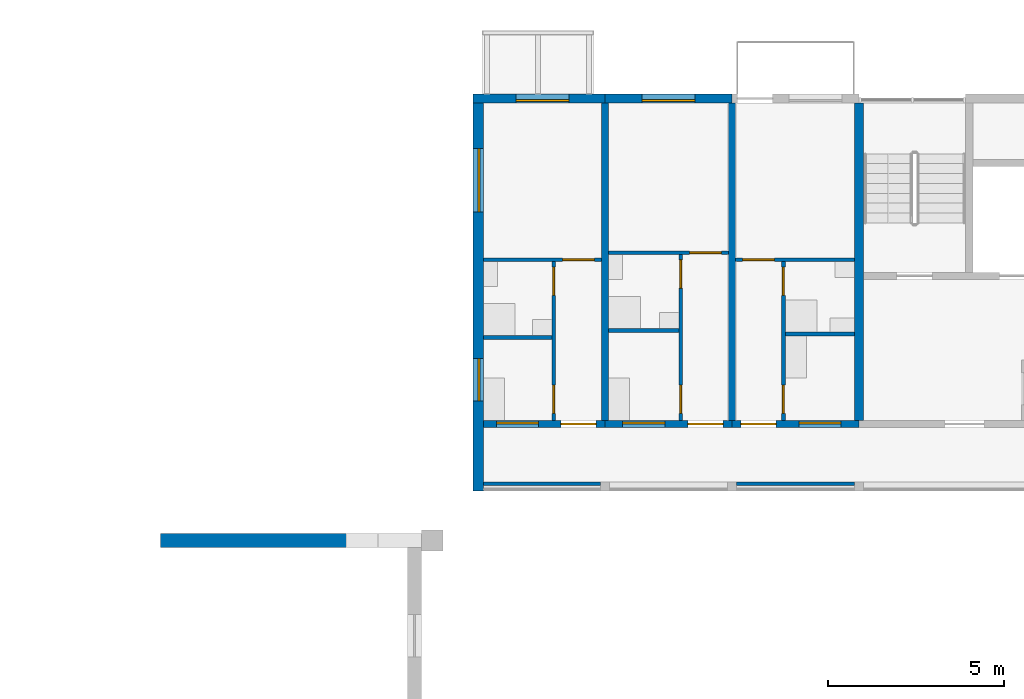
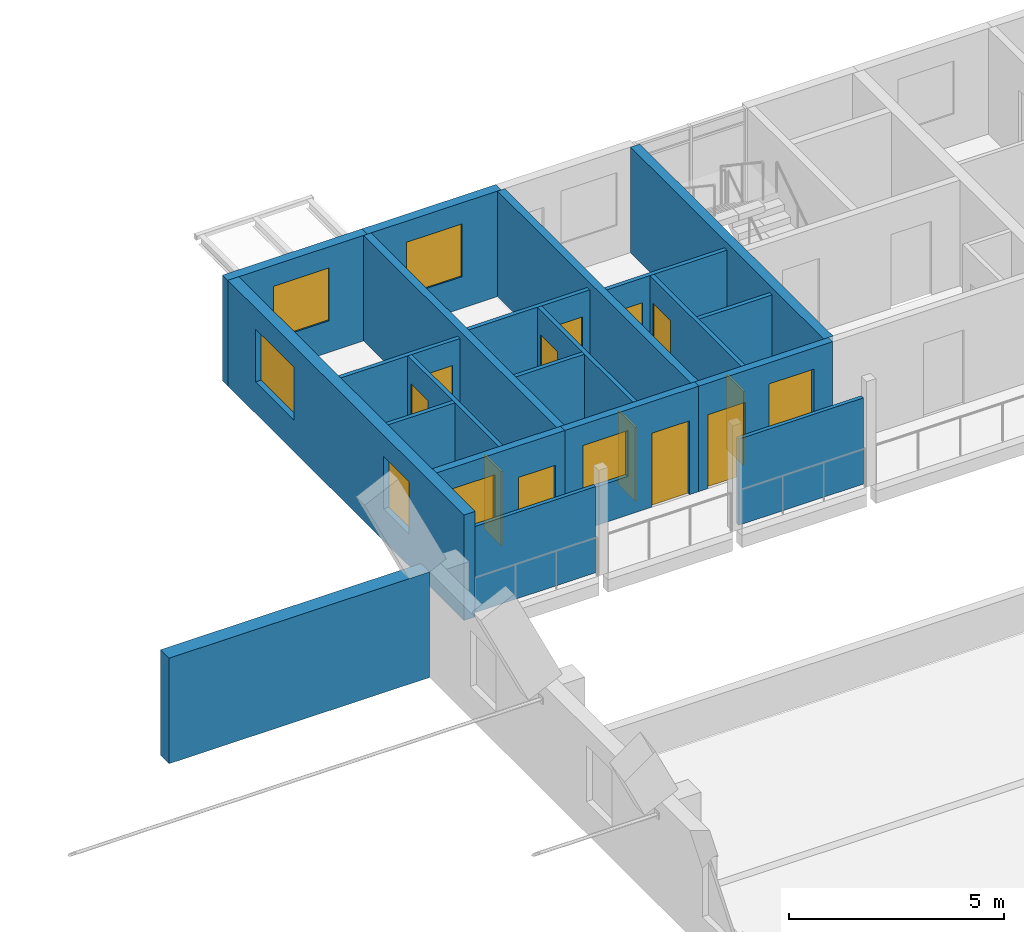
# One storey, part 66 of 115: 21 walls, 12 doors, 7 windows, 19 openings.
"""IFC4 building model written with IfcOpenShell, lengths in metres."""

from ifc_helpers import new_model, si_unit, direction, frame, frame_2d, origin, place, context, subcontext, project, spatial, rectangle, extrude, material, layer, layer_set, type_object, element, fill, save


model = new_model("IFC4")

# Units and contexts
model_context = context("Model", 3, precision=1e-05, world=origin(), true_north=direction((0.0, 1.0)))
body_context = subcontext(model_context, "Body", "Model", "MODEL_VIEW")
ifc_project = project(units=[si_unit("LENGTHUNIT", "METRE"), si_unit("AREAUNIT", "SQUARE_METRE"), si_unit("VOLUMEUNIT", "CUBIC_METRE"), si_unit("PLANEANGLEUNIT", "RADIAN"), si_unit("MASSUNIT", "GRAM", prefix="KILO")], contexts=[model_context])

# Site, building, storey
site_placement = place(None, origin())
site = spatial("IfcSite", under=ifc_project, at=site_placement, CompositionType="ELEMENT")
building_placement = place(site_placement, origin())
building = spatial("IfcBuilding", under=site, at=building_placement, Name="Ridgestep Commons", CompositionType="ELEMENT")
storey_placement = place(building_placement, frame((0.0, 0.0, 6.0)))
storey = spatial("IfcBuildingStorey", under=building, at=storey_placement, Name="L02", CompositionType="ELEMENT", Elevation=6.0)

# Walls
ifc_material_1 = material(Name="Concrete C30/37", Category="concrete")
ifc_layer_1 = layer(ifc_material_1, 0.25)
ifc_layer_set_1 = layer_set([ifc_layer_1], Name="Core cross wall 250")
wall_type_1 = type_object("IfcWallType", Name="Core cross wall 250", PredefinedType="SHEAR", material=ifc_layer_set_1)
wall_1_placement = place(storey_placement, frame((157.60009765625, 68.0, 0.0), z_axis=(0.0, 0.0, 1.0), x_axis=(0.0, 1.0, 0.0)))
element("IfcWall", 1, at=wall_1_placement, inside=storey, type_object=wall_type_1, Name="Cross wall C-02-1576", PredefinedType="SHEAR", context=body_context, shape_type="SweptSolid", body=[
    extrude(rectangle(XDim=9.0, YDim=0.25, at=frame_2d((4.5, 0.0))), origin(), (0.0, 0.0, 1.0), 3.0),
])
ifc_material_2 = material(Name="Precast concrete C40/50", Category="concrete")
ifc_layer_2 = layer(ifc_material_2, 0.199951171875)
ifc_layer_set_2 = layer_set([ifc_layer_2], Name="Cross wall 200")
wall_type_2 = type_object("IfcWallType", Name="Cross wall 200", PredefinedType="SHEAR", material=ifc_layer_set_2)
for number, where, z_axis, x_axis, name in (
    (2, (150.39990234375, 68.0, 0.0), (0.0, 0.0, 1.0), (0.0, 1.0, 0.0), "Cross wall C-02-1504"),
    (3, (154.0, 68.0, 0.0), (0.0, 0.0, 1.0), (0.0, 1.0, 0.0), "Cross wall C-02-1540"),
):
    element("IfcWall", number, at=place(storey_placement, frame(where, z_axis=z_axis, x_axis=x_axis)), inside=storey, type_object=wall_type_2, Name=name, PredefinedType="SHEAR", context=body_context, shape_type="SweptSolid", body=[
        extrude(rectangle(XDim=9.0, YDim=0.199951171875, at=frame_2d((4.5, 0.0))), origin(), (0.0, 0.0, 1.0), 3.0),
    ])

# Wall, openings, windows
ifc_material_3 = material(Name="Precast concrete C40/50", Category="concrete")
ifc_layer_3 = layer(ifc_material_3, 0.300048828125)
ifc_layer_set_3 = layer_set([ifc_layer_3], Name="Exposed division wall 300")
wall_type_3 = type_object("IfcWallType", Name="Exposed division wall 300", PredefinedType="SHEAR", material=ifc_layer_set_3)
wall_2_placement = place(storey_placement, frame((146.800048828125, 66.0, 0.0), z_axis=(0.0, 0.0, 1.0), x_axis=(0.0, 1.0, 0.0)))
wall_2 = element("IfcWall", 4, at=wall_2_placement, inside=storey, type_object=wall_type_3, Name="Cross wall C-02-1468", PredefinedType="SHEAR", context=body_context, shape_type="SweptSolid", body=[
    extrude(rectangle(XDim=11.0, YDim=0.300048828125, at=frame_2d((5.5, 0.0))), origin(), (0.0, 0.0, 1.0), 3.0),
])
opening_1_placement = place(wall_2_placement, frame((2.550048828125, 0.0, 0.89990234375)))
opening_1 = element("IfcOpeningElement", 5, at=opening_1_placement, cuts=wall_2, Name="Opening W10", PredefinedType="OPENING", context=body_context, shape_type="SweptSolid", body=[
    extrude(rectangle(XDim=1.199951171875, YDim=1.5, at=frame_2d((0.60009765625, 0.75))), frame((0.0, 0.159912109375, 0.0), z_axis=(0.0, -1.0, 0.0), x_axis=(1.0, 0.0, 0.0)), (0.0, 0.0, 1.0), 0.320068359375),
])
opening_2_placement = place(wall_2_placement, frame((7.905029296875, 0.0, 0.89990234375)))
opening_2 = element("IfcOpeningElement", 6, at=opening_2_placement, cuts=wall_2, Name="Opening W20", PredefinedType="OPENING", context=body_context, shape_type="SweptSolid", body=[
    extrude(rectangle(XDim=1.800048828125, YDim=1.5, at=frame_2d((0.89990234375, 0.75))), frame((0.0, 0.159912109375, 0.0), z_axis=(0.0, -1.0, 0.0), x_axis=(1.0, 0.0, 0.0)), (0.0, 0.0, 1.0), 0.320068359375),
])
ifc_material_4 = material(Name="Aluminium 6063-T6 and glass", Category="aluminium")
window_type_1 = type_object("IfcWindowType", Name="Flat window 1200 x 1500", PartitioningType="SINGLE_PANEL", PredefinedType="WINDOW", material=ifc_material_4)
window_1_placement = place(opening_1_placement, origin())
window_1 = element("IfcWindow", 7, at=window_1_placement, inside=storey, type_object=window_type_1, Name="Window C1-02a 3", OverallHeight=1.5, OverallWidth=1.199951171875, PartitioningType="SINGLE_PANEL", PredefinedType="WINDOW", context=body_context, shape_type="SweptSolid", body=[
    extrude(rectangle(XDim=1.199951171875, YDim=1.5, at=frame_2d((0.60009765625, 0.75))), frame((0.0, 0.0, 0.0), z_axis=(0.0, -1.0, 0.0), x_axis=(1.0, 0.0, 0.0)), (0.0, 0.0, 1.0), 0.06005859375),
])
fill(opening_1, window_1)
ifc_material_5 = material(Name="Aluminium 6063-T6 and glass", Category="aluminium")
window_type_2 = type_object("IfcWindowType", Name="Flat window 1800 x 1500", PartitioningType="DOUBLE_PANEL_VERTICAL", PredefinedType="WINDOW", material=ifc_material_5)
window_2_placement = place(opening_2_placement, origin())
window_2 = element("IfcWindow", 8, at=window_2_placement, inside=storey, type_object=window_type_2, Name="Window C1-02a 4", OverallHeight=1.5, OverallWidth=1.800048828125, PartitioningType="SINGLE_PANEL", PredefinedType="WINDOW", context=body_context, shape_type="SweptSolid", body=[
    extrude(rectangle(XDim=1.800048828125, YDim=1.5, at=frame_2d((0.89990234375, 0.75))), frame((0.0, 0.0, 0.0), z_axis=(0.0, -1.0, 0.0), x_axis=(1.0, 0.0, 0.0)), (0.0, 0.0, 1.0), 0.06005859375),
])
fill(opening_2, window_2)

# Wall
ifc_material_6 = material(Name="Precast concrete C40/50", Category="concrete")
ifc_layer_4 = layer(ifc_material_6, 0.39990234375)
ifc_layer_set_4 = layer_set([ifc_layer_4], Name="Hall wall 400")
wall_type_4 = type_object("IfcWallType", Name="Hall wall 400", PredefinedType="SOLIDWALL", material=ifc_layer_set_4)
wall_3_placement = place(storey_placement, frame((137.800048828125, 64.60009765625, 0.0), z_axis=(0.0, 0.0, 1.0), x_axis=(1.0, 0.0, 0.0)))
element("IfcWall", 9, at=wall_3_placement, inside=storey, type_object=wall_type_4, Name="Hall wall 400", PredefinedType="SOLIDWALL", context=body_context, shape_type="SweptSolid", body=[
    extrude(rectangle(XDim=7.0, YDim=0.39990234375, at=frame_2d((3.5, 0.0))), origin(), (0.0, 0.0, 1.0), 3.0),
])

# Wall, opening, window
ifc_material_7 = material(Name="Precast concrete C40/50", Category="concrete")
ifc_layer_5 = layer(ifc_material_7, 0.25)
ifc_layer_set_5 = layer_set([ifc_layer_5], Name="North facade panel 250")
wall_type_5 = type_object("IfcWallType", Name="North facade panel 250", PredefinedType="SOLIDWALL", material=ifc_layer_set_5)
wall_4_placement = place(storey_placement, frame((146.64990234375, 77.125, 0.0), z_axis=(0.0, 0.0, 1.0), x_axis=(1.0, 0.0, 0.0)))
wall_4 = element("IfcWall", 10, at=wall_4_placement, inside=storey, type_object=wall_type_5, Name="North panel C1T1 L02", PredefinedType="SOLIDWALL", context=body_context, shape_type="SweptSolid", body=[
    extrude(rectangle(XDim=3.75, YDim=0.25, at=frame_2d((1.875, 0.0))), origin(), (0.0, 0.0, 1.0), 3.0),
])
opening_3_placement = place(wall_4_placement, frame((1.22509765625, 0.0, 0.89990234375)))
opening_3 = element("IfcOpeningElement", 11, at=opening_3_placement, cuts=wall_4, Name="Opening W16", PredefinedType="OPENING", context=body_context, shape_type="SweptSolid", body=[
    extrude(rectangle(XDim=1.5, YDim=1.5, at=frame_2d((0.75, 0.75))), frame((0.0, 0.135009765625, 0.0), z_axis=(0.0, -1.0, 0.0), x_axis=(1.0, 0.0, 0.0)), (0.0, 0.0, 1.0), 0.27001953125),
])
ifc_material_8 = material(Name="Aluminium 6063-T6 and glass", Category="aluminium")
window_type_3 = type_object("IfcWindowType", Name="Flat window 1500 x 1500", PartitioningType="DOUBLE_PANEL_VERTICAL", PredefinedType="WINDOW", material=ifc_material_8)
window_3_placement = place(opening_3_placement, origin())
window_3 = element("IfcWindow", 12, at=window_3_placement, inside=storey, type_object=window_type_3, Name="Window C1-02a 2", OverallHeight=1.5, OverallWidth=1.5, PartitioningType="SINGLE_PANEL", PredefinedType="WINDOW", context=body_context, shape_type="SweptSolid", body=[
    extrude(rectangle(XDim=1.5, YDim=1.5, at=frame_2d((0.75, 0.75))), frame((0.0, -0.02490234375, 0.0), z_axis=(0.0, -1.0, 0.0), x_axis=(1.0, 0.0, 0.0)), (0.0, 0.0, 1.0), 0.06005859375),
])
fill(opening_3, window_3)

wall_5_placement = place(storey_placement, frame((150.39990234375, 77.125, 0.0), z_axis=(0.0, 0.0, 1.0), x_axis=(1.0, 0.0, 0.0)))
wall_5 = element("IfcWall", 13, at=wall_5_placement, inside=storey, type_object=wall_type_5, Name="North panel C1T2 L02", PredefinedType="SOLIDWALL", context=body_context, shape_type="SweptSolid", body=[
    extrude(rectangle(XDim=3.60009765625, YDim=0.25, at=frame_2d((1.800048828125, 0.0))), origin(), (0.0, 0.0, 1.0), 3.0),
])
opening_4_placement = place(wall_5_placement, frame((1.050048828125, 0.0, 0.89990234375)))
opening_4 = element("IfcOpeningElement", 14, at=opening_4_placement, cuts=wall_5, Name="Opening W16", PredefinedType="OPENING", context=body_context, shape_type="SweptSolid", body=[
    extrude(rectangle(XDim=1.5, YDim=1.5, at=frame_2d((0.75, 0.75))), frame((0.0, 0.135009765625, 0.0), z_axis=(0.0, -1.0, 0.0), x_axis=(1.0, 0.0, 0.0)), (0.0, 0.0, 1.0), 0.27001953125),
])
window_4_placement = place(opening_4_placement, origin())
window_4 = element("IfcWindow", 15, at=window_4_placement, inside=storey, type_object=window_type_3, Name="Window C1-02b 2", OverallHeight=1.5, OverallWidth=1.5, PartitioningType="SINGLE_PANEL", PredefinedType="WINDOW", context=body_context, shape_type="SweptSolid", body=[
    extrude(rectangle(XDim=1.5, YDim=1.5, at=frame_2d((0.75, 0.75))), frame((0.0, -0.02490234375, 0.0), z_axis=(0.0, -1.0, 0.0), x_axis=(1.0, 0.0, 0.0)), (0.0, 0.0, 1.0), 0.06005859375),
])
fill(opening_4, window_4)

# Wall
ifc_material_9 = material(Name="Common brick 110 mm", Category="masonry")
ifc_layer_6 = layer(ifc_material_9, 0.110107421875)
ifc_layer_set_6 = layer_set([ifc_layer_6], Name="Partition 110")
wall_type_6 = type_object("IfcWallType", Name="Partition 110", PredefinedType="PARTITIONING", material=ifc_layer_set_6)
wall_6_placement = place(storey_placement, frame((146.949951171875, 70.35498046875, 0.0), z_axis=(0.0, 0.0, 1.0), x_axis=(1.0, 0.0, 0.0)))
element("IfcWall", 16, at=wall_6_placement, inside=storey, type_object=wall_type_6, Name="Partition C1-02a", PredefinedType="PARTITIONING", context=body_context, shape_type="SweptSolid", body=[
    extrude(rectangle(XDim=1.93994140625, YDim=0.110107421875, at=frame_2d((0.969970703125, 0.0))), origin(), (0.0, 0.0, 1.0), 2.800048828125),
])

# Wall, openings, doors
wall_7_placement = place(storey_placement, frame((148.945068359375, 68.0, 0.0), z_axis=(0.0, 0.0, 1.0), x_axis=(0.0, 1.0, 0.0)))
wall_7 = element("IfcWall", 17, at=wall_7_placement, inside=storey, type_object=wall_type_6, Name="Partition C1-02a", PredefinedType="PARTITIONING", context=body_context, shape_type="SweptSolid", body=[
    extrude(rectangle(XDim=4.5, YDim=0.110107421875, at=frame_2d((2.25, 0.0))), origin(), (0.0, 0.0, 1.0), 2.800048828125),
])
opening_5_placement = place(wall_7_placement, frame((0.199951171875, 0.0, 0.0)))
opening_5 = element("IfcOpeningElement", 18, at=opening_5_placement, cuts=wall_7, Name="Opening C1-02a/2", PredefinedType="OPENING", context=body_context, shape_type="SweptSolid", body=[
    extrude(rectangle(XDim=0.800048828125, YDim=2.10009765625, at=frame_2d((0.39990234375, 1.050048828125))), frame((0.0, 0.06494140625, 0.0), z_axis=(0.0, -1.0, 0.0), x_axis=(1.0, 0.0, 0.0)), (0.0, 0.0, 1.0), 0.130126953125),
])
opening_6_placement = place(wall_7_placement, frame((3.550048828125, 0.0, 0.0)))
opening_6 = element("IfcOpeningElement", 19, at=opening_6_placement, cuts=wall_7, Name="Opening C1-02a/3", PredefinedType="OPENING", context=body_context, shape_type="SweptSolid", body=[
    extrude(rectangle(XDim=0.800048828125, YDim=2.10009765625, at=frame_2d((0.39990234375, 1.050048828125))), frame((0.0, 0.06494140625, 0.0), z_axis=(0.0, -1.0, 0.0), x_axis=(1.0, 0.0, 0.0)), (0.0, 0.0, 1.0), 0.130126953125),
])
ifc_material_10 = material(Name="Timber door leaf", Category="wood")
door_type_1 = type_object("IfcDoorType", Name="Internal door 800 x 2100", OperationType="NOTDEFINED", PredefinedType="DOOR", material=ifc_material_10)
door_1_placement = place(opening_5_placement, origin())
door_1 = element("IfcDoor", 20, at=door_1_placement, inside=storey, type_object=door_type_1, Name="Internal door C1-02a/2", OperationType="SINGLE_SWING_LEFT", OverallHeight=2.10009765625, OverallWidth=0.800048828125, PredefinedType="DOOR", context=body_context, shape_type="SweptSolid", body=[
    extrude(rectangle(XDim=0.800048828125, YDim=2.10009765625, at=frame_2d((0.39990234375, 1.050048828125))), frame((0.0, 0.02490234375, 0.0), z_axis=(0.0, -1.0, 0.0), x_axis=(1.0, 0.0, 0.0)), (0.0, 0.0, 1.0), 0.050048828125),
])
fill(opening_5, door_1)
door_2_placement = place(opening_6_placement, origin())
door_2 = element("IfcDoor", 21, at=door_2_placement, inside=storey, type_object=door_type_1, Name="Internal door C1-02a/3", OperationType="SINGLE_SWING_RIGHT", OverallHeight=2.10009765625, OverallWidth=0.800048828125, PredefinedType="DOOR", context=body_context, shape_type="SweptSolid", body=[
    extrude(rectangle(XDim=0.800048828125, YDim=2.10009765625, at=frame_2d((0.39990234375, 1.050048828125))), frame((0.0, 0.02490234375, 0.0), z_axis=(0.0, -1.0, 0.0), x_axis=(1.0, 0.0, 0.0)), (0.0, 0.0, 1.0), 0.050048828125),
])
fill(opening_6, door_2)

# Wall, opening, door
wall_8_placement = place(storey_placement, frame((146.949951171875, 72.554931640625, 0.0), z_axis=(0.0, 0.0, 1.0), x_axis=(1.0, 0.0, 0.0)))
wall_8 = element("IfcWall", 22, at=wall_8_placement, inside=storey, type_object=wall_type_6, Name="Partition C1-02a", PredefinedType="PARTITIONING", context=body_context, shape_type="SweptSolid", body=[
    extrude(rectangle(XDim=3.35009765625, YDim=0.110107421875, at=frame_2d((1.675048828125, 0.0))), origin(), (0.0, 0.0, 1.0), 2.800048828125),
])
opening_7_placement = place(wall_8_placement, frame((2.25, 0.0, 0.0)))
opening_7 = element("IfcOpeningElement", 23, at=opening_7_placement, cuts=wall_8, Name="Opening C1-02a/4", PredefinedType="OPENING", context=body_context, shape_type="SweptSolid", body=[
    extrude(rectangle(XDim=0.89990234375, YDim=2.10009765625, at=frame_2d((0.449951171875, 1.050048828125))), frame((0.0, 0.06494140625, 0.0), z_axis=(0.0, -1.0, 0.0), x_axis=(1.0, 0.0, 0.0)), (0.0, 0.0, 1.0), 0.130126953125),
])
ifc_material_11 = material(Name="Timber door leaf", Category="wood")
door_type_2 = type_object("IfcDoorType", Name="Internal door 900 x 2100", OperationType="NOTDEFINED", PredefinedType="DOOR", material=ifc_material_11)
door_3_placement = place(opening_7_placement, origin())
door_3 = element("IfcDoor", 24, at=door_3_placement, inside=storey, type_object=door_type_2, Name="Internal door C1-02a/4", OperationType="SINGLE_SWING_LEFT", OverallHeight=2.10009765625, OverallWidth=0.89990234375, PredefinedType="DOOR", context=body_context, shape_type="SweptSolid", body=[
    extrude(rectangle(XDim=0.89990234375, YDim=2.10009765625, at=frame_2d((0.449951171875, 1.050048828125))), frame((0.0, 0.02490234375, 0.0), z_axis=(0.0, -1.0, 0.0), x_axis=(1.0, 0.0, 0.0)), (0.0, 0.0, 1.0), 0.050048828125),
])
fill(opening_7, door_3)

# Wall
wall_9_placement = place(storey_placement, frame((150.5, 70.554931640625, 0.0), z_axis=(0.0, 0.0, 1.0), x_axis=(1.0, 0.0, 0.0)))
element("IfcWall", 25, at=wall_9_placement, inside=storey, type_object=wall_type_6, Name="Partition C1-02b", PredefinedType="PARTITIONING", context=body_context, shape_type="SweptSolid", body=[
    extrude(rectangle(XDim=1.989990234375, YDim=0.110107421875, at=frame_2d((0.9951171875, 0.0))), origin(), (0.0, 0.0, 1.0), 2.800048828125),
])

# Wall, openings, doors
wall_10_placement = place(storey_placement, frame((152.544921875, 68.0, 0.0), z_axis=(0.0, 0.0, 1.0), x_axis=(0.0, 1.0, 0.0)))
wall_10 = element("IfcWall", 26, at=wall_10_placement, inside=storey, type_object=wall_type_6, Name="Partition C1-02b", PredefinedType="PARTITIONING", context=body_context, shape_type="SweptSolid", body=[
    extrude(rectangle(XDim=4.699951171875, YDim=0.110107421875, at=frame_2d((2.35009765625, 0.0))), origin(), (0.0, 0.0, 1.0), 2.800048828125),
])
opening_8_placement = place(wall_10_placement, frame((0.199951171875, 0.0, 0.0)))
opening_8 = element("IfcOpeningElement", 27, at=opening_8_placement, cuts=wall_10, Name="Opening C1-02b/2", PredefinedType="OPENING", context=body_context, shape_type="SweptSolid", body=[
    extrude(rectangle(XDim=0.800048828125, YDim=2.10009765625, at=frame_2d((0.39990234375, 1.050048828125))), frame((0.0, 0.06494140625, 0.0), z_axis=(0.0, -1.0, 0.0), x_axis=(1.0, 0.0, 0.0)), (0.0, 0.0, 1.0), 0.130126953125),
])
opening_9_placement = place(wall_10_placement, frame((3.75, 0.0, 0.0)))
opening_9 = element("IfcOpeningElement", 28, at=opening_9_placement, cuts=wall_10, Name="Opening C1-02b/3", PredefinedType="OPENING", context=body_context, shape_type="SweptSolid", body=[
    extrude(rectangle(XDim=0.800048828125, YDim=2.10009765625, at=frame_2d((0.39990234375, 1.050048828125))), frame((0.0, 0.06494140625, 0.0), z_axis=(0.0, -1.0, 0.0), x_axis=(1.0, 0.0, 0.0)), (0.0, 0.0, 1.0), 0.130126953125),
])
door_4_placement = place(opening_8_placement, origin())
door_4 = element("IfcDoor", 29, at=door_4_placement, inside=storey, type_object=door_type_1, Name="Internal door C1-02b/2", OperationType="SINGLE_SWING_LEFT", OverallHeight=2.10009765625, OverallWidth=0.800048828125, PredefinedType="DOOR", context=body_context, shape_type="SweptSolid", body=[
    extrude(rectangle(XDim=0.800048828125, YDim=2.10009765625, at=frame_2d((0.39990234375, 1.050048828125))), frame((0.0, 0.02490234375, 0.0), z_axis=(0.0, -1.0, 0.0), x_axis=(1.0, 0.0, 0.0)), (0.0, 0.0, 1.0), 0.050048828125),
])
fill(opening_8, door_4)
door_5_placement = place(opening_9_placement, origin())
door_5 = element("IfcDoor", 30, at=door_5_placement, inside=storey, type_object=door_type_1, Name="Internal door C1-02b/3", OperationType="SINGLE_SWING_RIGHT", OverallHeight=2.10009765625, OverallWidth=0.800048828125, PredefinedType="DOOR", context=body_context, shape_type="SweptSolid", body=[
    extrude(rectangle(XDim=0.800048828125, YDim=2.10009765625, at=frame_2d((0.39990234375, 1.050048828125))), frame((0.0, 0.02490234375, 0.0), z_axis=(0.0, -1.0, 0.0), x_axis=(1.0, 0.0, 0.0)), (0.0, 0.0, 1.0), 0.050048828125),
])
fill(opening_9, door_5)

# Wall, opening, door
wall_11_placement = place(storey_placement, frame((150.5, 72.7548828125, 0.0), z_axis=(0.0, 0.0, 1.0), x_axis=(1.0, 0.0, 0.0)))
wall_11 = element("IfcWall", 31, at=wall_11_placement, inside=storey, type_object=wall_type_6, Name="Partition C1-02b", PredefinedType="PARTITIONING", context=body_context, shape_type="SweptSolid", body=[
    extrude(rectangle(XDim=3.39990234375, YDim=0.110107421875, at=frame_2d((1.699951171875, 0.0))), origin(), (0.0, 0.0, 1.0), 2.800048828125),
])
opening_10_placement = place(wall_11_placement, frame((2.300048828125, 0.0, 0.0)))
opening_10 = element("IfcOpeningElement", 32, at=opening_10_placement, cuts=wall_11, Name="Opening C1-02b/4", PredefinedType="OPENING", context=body_context, shape_type="SweptSolid", body=[
    extrude(rectangle(XDim=0.89990234375, YDim=2.10009765625, at=frame_2d((0.449951171875, 1.050048828125))), frame((0.0, 0.06494140625, 0.0), z_axis=(0.0, -1.0, 0.0), x_axis=(1.0, 0.0, 0.0)), (0.0, 0.0, 1.0), 0.130126953125),
])
door_6_placement = place(opening_10_placement, origin())
door_6 = element("IfcDoor", 33, at=door_6_placement, inside=storey, type_object=door_type_2, Name="Internal door C1-02b/4", OperationType="SINGLE_SWING_LEFT", OverallHeight=2.10009765625, OverallWidth=0.89990234375, PredefinedType="DOOR", context=body_context, shape_type="SweptSolid", body=[
    extrude(rectangle(XDim=0.89990234375, YDim=2.10009765625, at=frame_2d((0.449951171875, 1.050048828125))), frame((0.0, 0.02490234375, 0.0), z_axis=(0.0, -1.0, 0.0), x_axis=(1.0, 0.0, 0.0)), (0.0, 0.0, 1.0), 0.050048828125),
])
fill(opening_10, door_6)

# Wall, openings, doors
wall_12_placement = place(storey_placement, frame((155.455078125, 68.0, 0.0), z_axis=(0.0, 0.0, 1.0), x_axis=(0.0, 1.0, 0.0)))
wall_12 = element("IfcWall", 34, at=wall_12_placement, inside=storey, type_object=wall_type_6, Name="Partition C1-02c", PredefinedType="PARTITIONING", context=body_context, shape_type="SweptSolid", body=[
    extrude(rectangle(XDim=4.5, YDim=0.110107421875, at=frame_2d((2.25, 0.0))), origin(), (0.0, 0.0, 1.0), 2.800048828125),
])
opening_11_placement = place(wall_12_placement, frame((0.199951171875, 0.0, 0.0)))
opening_11 = element("IfcOpeningElement", 35, at=opening_11_placement, cuts=wall_12, Name="Opening C1-02c/2", PredefinedType="OPENING", context=body_context, shape_type="SweptSolid", body=[
    extrude(rectangle(XDim=0.800048828125, YDim=2.10009765625, at=frame_2d((0.39990234375, 1.050048828125))), frame((0.0, 0.06494140625, 0.0), z_axis=(0.0, -1.0, 0.0), x_axis=(1.0, 0.0, 0.0)), (0.0, 0.0, 1.0), 0.130126953125),
])
opening_12_placement = place(wall_12_placement, frame((3.550048828125, 0.0, 0.0)))
opening_12 = element("IfcOpeningElement", 36, at=opening_12_placement, cuts=wall_12, Name="Opening C1-02c/3", PredefinedType="OPENING", context=body_context, shape_type="SweptSolid", body=[
    extrude(rectangle(XDim=0.800048828125, YDim=2.10009765625, at=frame_2d((0.39990234375, 1.050048828125))), frame((0.0, 0.06494140625, 0.0), z_axis=(0.0, -1.0, 0.0), x_axis=(1.0, 0.0, 0.0)), (0.0, 0.0, 1.0), 0.130126953125),
])
door_7_placement = place(opening_11_placement, origin())
door_7 = element("IfcDoor", 37, at=door_7_placement, inside=storey, type_object=door_type_1, Name="Internal door C1-02c/2", OperationType="SINGLE_SWING_RIGHT", OverallHeight=2.10009765625, OverallWidth=0.800048828125, PredefinedType="DOOR", context=body_context, shape_type="SweptSolid", body=[
    extrude(rectangle(XDim=0.800048828125, YDim=2.10009765625, at=frame_2d((0.39990234375, 1.050048828125))), frame((0.0, 0.02490234375, 0.0), z_axis=(0.0, -1.0, 0.0), x_axis=(1.0, 0.0, 0.0)), (0.0, 0.0, 1.0), 0.050048828125),
])
fill(opening_11, door_7)
door_8_placement = place(opening_12_placement, origin())
door_8 = element("IfcDoor", 38, at=door_8_placement, inside=storey, type_object=door_type_1, Name="Internal door C1-02c/3", OperationType="SINGLE_SWING_LEFT", OverallHeight=2.10009765625, OverallWidth=0.800048828125, PredefinedType="DOOR", context=body_context, shape_type="SweptSolid", body=[
    extrude(rectangle(XDim=0.800048828125, YDim=2.10009765625, at=frame_2d((0.39990234375, 1.050048828125))), frame((0.0, 0.02490234375, 0.0), z_axis=(0.0, -1.0, 0.0), x_axis=(1.0, 0.0, 0.0)), (0.0, 0.0, 1.0), 0.050048828125),
])
fill(opening_12, door_8)

# Wall
wall_13_placement = place(storey_placement, frame((155.510009765625, 70.455078125, 0.0), z_axis=(0.0, 0.0, 1.0), x_axis=(1.0, 0.0, 0.0)))
element("IfcWall", 39, at=wall_13_placement, inside=storey, type_object=wall_type_6, Name="Partition C1-02c", PredefinedType="PARTITIONING", context=body_context, shape_type="SweptSolid", body=[
    extrude(rectangle(XDim=1.965087890625, YDim=0.110107421875, at=frame_2d((0.982421875, 0.0))), origin(), (0.0, 0.0, 1.0), 2.800048828125),
])

# Wall, opening, door
wall_14_placement = place(storey_placement, frame((154.10009765625, 72.554931640625, 0.0), z_axis=(0.0, 0.0, 1.0), x_axis=(1.0, 0.0, 0.0)))
wall_14 = element("IfcWall", 40, at=wall_14_placement, inside=storey, type_object=wall_type_6, Name="Partition C1-02c", PredefinedType="PARTITIONING", context=body_context, shape_type="SweptSolid", body=[
    extrude(rectangle(XDim=3.375, YDim=0.110107421875, at=frame_2d((1.6875, 0.0))), origin(), (0.0, 0.0, 1.0), 2.800048828125),
])
opening_13_placement = place(wall_14_placement, frame((0.199951171875, 0.0, 0.0)))
opening_13 = element("IfcOpeningElement", 41, at=opening_13_placement, cuts=wall_14, Name="Opening C1-02c/4", PredefinedType="OPENING", context=body_context, shape_type="SweptSolid", body=[
    extrude(rectangle(XDim=0.89990234375, YDim=2.10009765625, at=frame_2d((0.449951171875, 1.050048828125))), frame((0.0, 0.06494140625, 0.0), z_axis=(0.0, -1.0, 0.0), x_axis=(1.0, 0.0, 0.0)), (0.0, 0.0, 1.0), 0.130126953125),
])
door_9_placement = place(opening_13_placement, origin())
door_9 = element("IfcDoor", 42, at=door_9_placement, inside=storey, type_object=door_type_2, Name="Internal door C1-02c/4", OperationType="SINGLE_SWING_LEFT", OverallHeight=2.10009765625, OverallWidth=0.89990234375, PredefinedType="DOOR", context=body_context, shape_type="SweptSolid", body=[
    extrude(rectangle(XDim=0.89990234375, YDim=2.10009765625, at=frame_2d((0.449951171875, 1.050048828125))), frame((0.0, 0.02490234375, 0.0), z_axis=(0.0, -1.0, 0.0), x_axis=(1.0, 0.0, 0.0)), (0.0, 0.0, 1.0), 0.050048828125),
])
fill(opening_13, door_9)

# Walls
ifc_material_12 = material(Name="Precast concrete C30/37", Category="concrete")
ifc_layer_7 = layer(ifc_material_12, 0.10009765625)
ifc_layer_set_7 = layer_set([ifc_layer_7], Name="Perforated gallery screen 3325 x 2450 x 100")
wall_type_7 = type_object("IfcWallType", Name="Perforated gallery screen 3325 x 2450 x 100", PredefinedType="SOLIDWALL", material=ifc_layer_set_7)
wall_15_placement = place(storey_placement, frame((146.949951171875, 66.199951171875, 0.0), z_axis=(0.0, 0.0, 1.0), x_axis=(1.0, 0.0, 0.0)))
element("IfcWall", 43, at=wall_15_placement, inside=storey, type_object=wall_type_7, Name="Gallery screen C1T1 02", PredefinedType="SOLIDWALL", context=body_context, shape_type="SweptSolid", body=[
    extrude(rectangle(XDim=3.324951171875, YDim=0.10009765625, at=frame_2d((1.66259765625, 0.0))), origin(), (0.0, 0.0, 1.0), 2.449951171875),
])
ifc_material_13 = material(Name="Precast concrete C30/37", Category="concrete")
ifc_layer_8 = layer(ifc_material_13, 0.10009765625)
ifc_layer_set_8 = layer_set([ifc_layer_8], Name="Perforated gallery screen 3350 x 2450 x 100")
wall_type_8 = type_object("IfcWallType", Name="Perforated gallery screen 3350 x 2450 x 100", PredefinedType="SOLIDWALL", material=ifc_layer_set_8)
wall_16_placement = place(storey_placement, frame((154.125, 66.199951171875, 0.0), z_axis=(0.0, 0.0, 1.0), x_axis=(1.0, 0.0, 0.0)))
element("IfcWall", 44, at=wall_16_placement, inside=storey, type_object=wall_type_8, Name="Gallery screen C1T3 02", PredefinedType="SOLIDWALL", context=body_context, shape_type="SweptSolid", body=[
    extrude(rectangle(XDim=3.35009765625, YDim=0.10009765625, at=frame_2d((1.675048828125, 0.0))), origin(), (0.0, 0.0, 1.0), 2.449951171875),
])

# Wall, openings, door, window
ifc_material_14 = material(Name="Precast concrete C40/50", Category="concrete")
ifc_layer_9 = layer(ifc_material_14, 0.199951171875)
ifc_layer_set_9 = layer_set([ifc_layer_9], Name="South facade panel 200")
wall_type_9 = type_object("IfcWallType", Name="South facade panel 200", PredefinedType="SOLIDWALL", material=ifc_layer_set_9)
wall_17_placement = place(storey_placement, frame((146.949951171875, 67.89990234375, 0.0), z_axis=(0.0, 0.0, 1.0), x_axis=(1.0, 0.0, 0.0)))
wall_17 = element("IfcWall", 45, at=wall_17_placement, inside=storey, type_object=wall_type_9, Name="South panel C1T1 L02", PredefinedType="SOLIDWALL", context=body_context, shape_type="SweptSolid", body=[
    extrude(rectangle(XDim=3.449951171875, YDim=0.199951171875, at=frame_2d((1.72509765625, 0.0))), origin(), (0.0, 0.0, 1.0), 3.0),
])
opening_14_placement = place(wall_17_placement, frame((0.3701171875, 0.0, 1.10009765625)))
opening_14 = element("IfcOpeningElement", 46, at=opening_14_placement, cuts=wall_17, Name="Opening W08", PredefinedType="OPENING", context=body_context, shape_type="SweptSolid", body=[
    extrude(rectangle(XDim=1.199951171875, YDim=1.300048828125, at=frame_2d((0.60009765625, 0.64990234375))), frame((0.0, 0.10986328125, 0.0), z_axis=(0.0, -1.0, 0.0), x_axis=(1.0, 0.0, 0.0)), (0.0, 0.0, 1.0), 0.219970703125),
])
opening_15_placement = place(wall_17_placement, frame((2.199951171875, 0.0, 0.0)))
opening_15 = element("IfcOpeningElement", 47, at=opening_15_placement, cuts=wall_17, Name="Opening C1-02a/1", PredefinedType="OPENING", context=body_context, shape_type="SweptSolid", body=[
    extrude(rectangle(XDim=1.0, YDim=2.10009765625, at=frame_2d((0.5, 1.050048828125))), frame((0.0, 0.10986328125, 0.0), z_axis=(0.0, -1.0, 0.0), x_axis=(1.0, 0.0, 0.0)), (0.0, 0.0, 1.0), 0.219970703125),
])
ifc_material_15 = material(Name="Timber door leaf", Category="wood")
door_type_3 = type_object("IfcDoorType", Name="Flat entrance door 1000 x 2100 FD30S", OperationType="NOTDEFINED", PredefinedType="DOOR", material=ifc_material_15)
door_10_placement = place(opening_15_placement, origin())
door_10 = element("IfcDoor", 48, at=door_10_placement, inside=storey, type_object=door_type_3, Name="Flat entrance door C1-02a/1", OperationType="SINGLE_SWING_RIGHT", OverallHeight=2.10009765625, OverallWidth=1.0, PredefinedType="DOOR", context=body_context, shape_type="SweptSolid", body=[
    extrude(rectangle(XDim=1.0, YDim=2.10009765625, at=frame_2d((0.5, 1.050048828125))), frame((0.0, 0.02490234375, 0.0), z_axis=(0.0, -1.0, 0.0), x_axis=(1.0, 0.0, 0.0)), (0.0, 0.0, 1.0), 0.050048828125),
])
fill(opening_15, door_10)
ifc_material_16 = material(Name="Aluminium 6063-T6 and glass", Category="aluminium")
window_type_4 = type_object("IfcWindowType", Name="Flat window 1200 x 1300", PartitioningType="SINGLE_PANEL", PredefinedType="WINDOW", material=ifc_material_16)
window_5_placement = place(opening_14_placement, origin())
window_5 = element("IfcWindow", 49, at=window_5_placement, inside=storey, type_object=window_type_4, Name="Window C1-02a 1", OverallHeight=1.300048828125, OverallWidth=1.199951171875, PartitioningType="SINGLE_PANEL", PredefinedType="WINDOW", context=body_context, shape_type="SweptSolid", body=[
    extrude(rectangle(XDim=1.199951171875, YDim=1.300048828125, at=frame_2d((0.60009765625, 0.64990234375))), frame((0.0, 0.06005859375, 0.0), z_axis=(0.0, -1.0, 0.0), x_axis=(1.0, 0.0, 0.0)), (0.0, 0.0, 1.0), 0.06005859375),
])
fill(opening_14, window_5)

wall_18_placement = place(storey_placement, frame((150.39990234375, 67.89990234375, 0.0), z_axis=(0.0, 0.0, 1.0), x_axis=(1.0, 0.0, 0.0)))
wall_18 = element("IfcWall", 50, at=wall_18_placement, inside=storey, type_object=wall_type_9, Name="South panel C1T2 L02", PredefinedType="SOLIDWALL", context=body_context, shape_type="SweptSolid", body=[
    extrude(rectangle(XDim=3.60009765625, YDim=0.199951171875, at=frame_2d((1.800048828125, 0.0))), origin(), (0.0, 0.0, 1.0), 3.0),
])
opening_16_placement = place(wall_18_placement, frame((0.4951171875, 0.0, 1.10009765625)))
opening_16 = element("IfcOpeningElement", 51, at=opening_16_placement, cuts=wall_18, Name="Opening W08", PredefinedType="OPENING", context=body_context, shape_type="SweptSolid", body=[
    extrude(rectangle(XDim=1.199951171875, YDim=1.300048828125, at=frame_2d((0.60009765625, 0.64990234375))), frame((0.0, 0.10986328125, 0.0), z_axis=(0.0, -1.0, 0.0), x_axis=(1.0, 0.0, 0.0)), (0.0, 0.0, 1.0), 0.219970703125),
])
opening_17_placement = place(wall_18_placement, frame((2.35009765625, 0.0, 0.0)))
opening_17 = element("IfcOpeningElement", 52, at=opening_17_placement, cuts=wall_18, Name="Opening C1-02b/1", PredefinedType="OPENING", context=body_context, shape_type="SweptSolid", body=[
    extrude(rectangle(XDim=1.0, YDim=2.10009765625, at=frame_2d((0.5, 1.050048828125))), frame((0.0, 0.10986328125, 0.0), z_axis=(0.0, -1.0, 0.0), x_axis=(1.0, 0.0, 0.0)), (0.0, 0.0, 1.0), 0.219970703125),
])
door_11_placement = place(opening_17_placement, origin())
door_11 = element("IfcDoor", 53, at=door_11_placement, inside=storey, type_object=door_type_3, Name="Flat entrance door C1-02b/1", OperationType="SINGLE_SWING_RIGHT", OverallHeight=2.10009765625, OverallWidth=1.0, PredefinedType="DOOR", context=body_context, shape_type="SweptSolid", body=[
    extrude(rectangle(XDim=1.0, YDim=2.10009765625, at=frame_2d((0.5, 1.050048828125))), frame((0.0, 0.02490234375, 0.0), z_axis=(0.0, -1.0, 0.0), x_axis=(1.0, 0.0, 0.0)), (0.0, 0.0, 1.0), 0.050048828125),
])
fill(opening_17, door_11)
window_6_placement = place(opening_16_placement, origin())
window_6 = element("IfcWindow", 54, at=window_6_placement, inside=storey, type_object=window_type_4, Name="Window C1-02b 1", OverallHeight=1.300048828125, OverallWidth=1.199951171875, PartitioningType="SINGLE_PANEL", PredefinedType="WINDOW", context=body_context, shape_type="SweptSolid", body=[
    extrude(rectangle(XDim=1.199951171875, YDim=1.300048828125, at=frame_2d((0.60009765625, 0.64990234375))), frame((0.0, 0.06005859375, 0.0), z_axis=(0.0, -1.0, 0.0), x_axis=(1.0, 0.0, 0.0)), (0.0, 0.0, 1.0), 0.06005859375),
])
fill(opening_16, window_6)

wall_19_placement = place(storey_placement, frame((154.0, 67.89990234375, 0.0), z_axis=(0.0, 0.0, 1.0), x_axis=(1.0, 0.0, 0.0)))
wall_19 = element("IfcWall", 55, at=wall_19_placement, inside=storey, type_object=wall_type_9, Name="South panel C1T3 L02", PredefinedType="SOLIDWALL", context=body_context, shape_type="SweptSolid", body=[
    extrude(rectangle(XDim=3.60009765625, YDim=0.199951171875, at=frame_2d((1.800048828125, 0.0))), origin(), (0.0, 0.0, 1.0), 3.0),
])
opening_18_placement = place(wall_19_placement, frame((1.892578125, 0.0, 1.10009765625)))
opening_18 = element("IfcOpeningElement", 56, at=opening_18_placement, cuts=wall_19, Name="Opening W08", PredefinedType="OPENING", context=body_context, shape_type="SweptSolid", body=[
    extrude(rectangle(XDim=1.199951171875, YDim=1.300048828125, at=frame_2d((0.60009765625, 0.64990234375))), frame((0.0, 0.10986328125, 0.0), z_axis=(0.0, -1.0, 0.0), x_axis=(1.0, 0.0, 0.0)), (0.0, 0.0, 1.0), 0.219970703125),
])
opening_19_placement = place(wall_19_placement, frame((0.25, 0.0, 0.0)))
opening_19 = element("IfcOpeningElement", 57, at=opening_19_placement, cuts=wall_19, Name="Opening C1-02c/1", PredefinedType="OPENING", context=body_context, shape_type="SweptSolid", body=[
    extrude(rectangle(XDim=1.0, YDim=2.10009765625, at=frame_2d((0.5, 1.050048828125))), frame((0.0, 0.10986328125, 0.0), z_axis=(0.0, -1.0, 0.0), x_axis=(1.0, 0.0, 0.0)), (0.0, 0.0, 1.0), 0.219970703125),
])
door_12_placement = place(opening_19_placement, origin())
door_12 = element("IfcDoor", 58, at=door_12_placement, inside=storey, type_object=door_type_3, Name="Flat entrance door C1-02c/1", OperationType="SINGLE_SWING_LEFT", OverallHeight=2.10009765625, OverallWidth=1.0, PredefinedType="DOOR", context=body_context, shape_type="SweptSolid", body=[
    extrude(rectangle(XDim=1.0, YDim=2.10009765625, at=frame_2d((0.5, 1.050048828125))), frame((0.0, 0.02490234375, 0.0), z_axis=(0.0, -1.0, 0.0), x_axis=(1.0, 0.0, 0.0)), (0.0, 0.0, 1.0), 0.050048828125),
])
fill(opening_19, door_12)
window_7_placement = place(opening_18_placement, origin())
window_7 = element("IfcWindow", 59, at=window_7_placement, inside=storey, type_object=window_type_4, Name="Window C1-02c 1", OverallHeight=1.300048828125, OverallWidth=1.199951171875, PartitioningType="SINGLE_PANEL", PredefinedType="WINDOW", context=body_context, shape_type="SweptSolid", body=[
    extrude(rectangle(XDim=1.199951171875, YDim=1.300048828125, at=frame_2d((0.60009765625, 0.64990234375))), frame((0.0, 0.06005859375, 0.0), z_axis=(0.0, -1.0, 0.0), x_axis=(1.0, 0.0, 0.0)), (0.0, 0.0, 1.0), 0.06005859375),
])
fill(opening_18, window_7)

save(model, "model.ifc")
